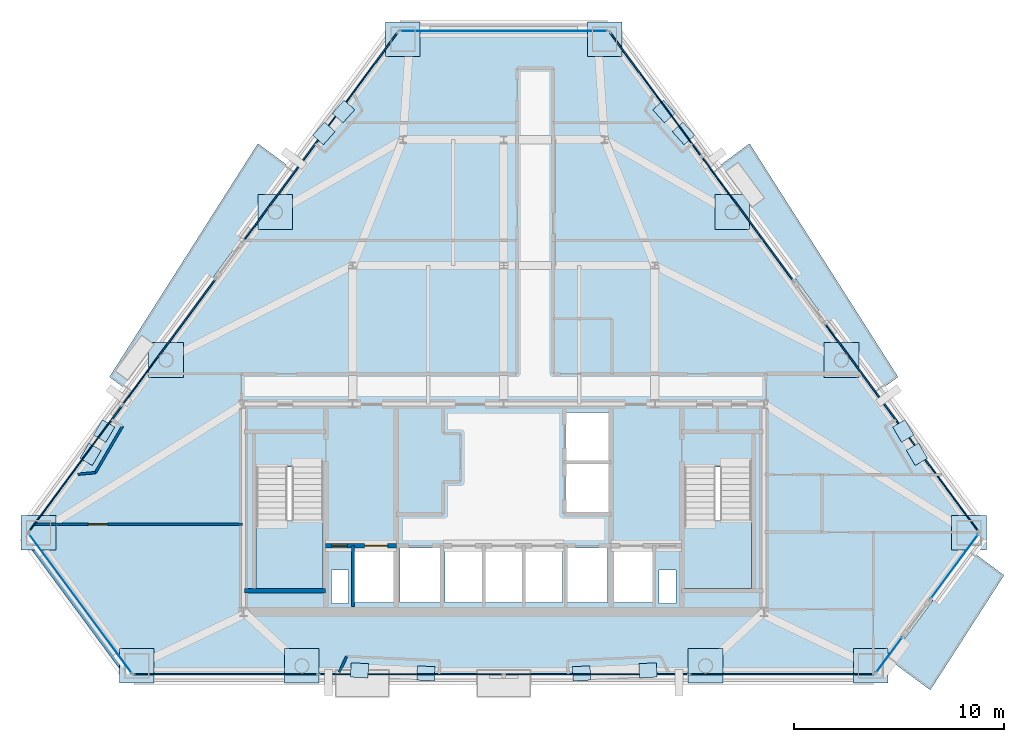
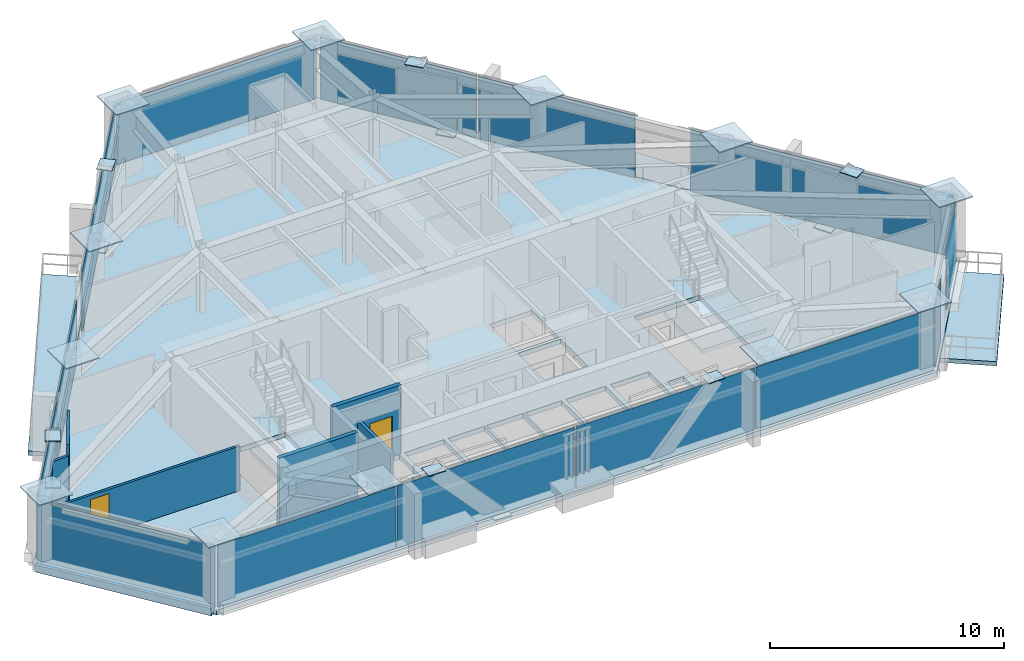
# One storey, part 6 of 11: 38 plates, 8 walls, 6 slabs, 3 doors, 3 openings, 11 elements without a shape of their own.
"""IFC4 building model written with IfcOpenShell, lengths in metres."""

from ifc_helpers import new_model, si_unit, direction, frame, frame_2d, origin, origin_2d, place, context, subcontext, project, spatial, polyline, rectangle, outline, extrude, source, transform, mapped, material, layer, layer_set, type_object, type_shapes, element, fill, aggregate, save


model = new_model("IFC4")

# Units and contexts
model_context = context("Model", 3, precision=1e-05, world=origin(), true_north=direction((0.0, 1.0)))
body_context = subcontext(model_context, "Body", "Model", "MODEL_VIEW")
ifc_project = project(units=[si_unit("LENGTHUNIT", "METRE"), si_unit("AREAUNIT", "SQUARE_METRE"), si_unit("VOLUMEUNIT", "CUBIC_METRE"), si_unit("PLANEANGLEUNIT", "RADIAN"), si_unit("MASSUNIT", "GRAM", prefix="KILO")], contexts=[model_context])

# Site, building, storey
site_placement = place(None, origin())
site = spatial("IfcSite", under=ifc_project, at=site_placement, CompositionType="ELEMENT")
building_placement = place(site_placement, origin())
building = spatial("IfcBuilding", under=site, at=building_placement, Name="Talgorran Terracotta Tower", CompositionType="ELEMENT")
storey_placement = place(building_placement, frame((0.0, 0.0, 154.5)))
storey = spatial("IfcBuildingStorey", under=building, at=storey_placement, Name="L40", CompositionType="ELEMENT", Elevation=154.5)

# Plates
ifc_material_1 = material(Name="Steel Grade 350 (350L0)", Category="steel")
ifc_layer_1 = layer(ifc_material_1, 0.035888671875, Name="PL_CAP_MN06")
ifc_layer_set_1 = layer_set([ifc_layer_1], Name="Steel Grade 350 (350L0)")
plate_type_1 = type_object("IfcPlateType", Name="PL_CAP_MN06", PredefinedType="USERDEFINED", material=ifc_layer_set_1)
for number, where, z_axis, x_axis, name in (
    (1, (-3.709716796875, -17.034423828125, -0.0078125), (0.0, 0.0, 1.0), (-0.99895467426, 0.04571169187, 0.0), "L40 Diagonal Frame End Cap SWF Bot"),
    (2, (-6.870361328125, -16.889892578125, 3.322265625), (0.0, 0.0, 1.0), (-0.99895467426, 0.04571169187, 0.0), "L40 Diagonal Frame End Cap SWF Top"),
    (3, (3.709716796875, -17.034423828125, -0.0078125), (0.0, 0.0, 1.0), (0.99895467426, 0.04571169187, 0.0), "L40 Diagonal Frame End Cap SEF Bot"),
    (4, (6.870361328125, -16.889892578125, 3.322265625), (0.0, 0.0, 1.0), (0.99895467426, 0.04571169187, 0.0), "L40 Diagonal Frame End Cap SEF Top"),
    (5, (19.037353515625, -5.48583984375, -0.0078125), (0.0, 0.0, 1.0), (0.504678307081, -0.863307480775, 0.0), "L40 Diagonal Frame End Cap NEL Bot"),
    (6, (19.686279296875, -6.595947265625, 3.322265625), (0.0, 0.0, 1.0), (0.504678307081, -0.863307480775, 0.0), "L40 Diagonal Frame End Cap NEL Top"),
    (7, (8.56640625, 8.6923828125, -0.0078125), (0.0, 0.0, 1.0), (-0.666272209433, 0.745708617985, 0.0), "L40 Diagonal Frame End Cap NEU Bot"),
    (8, (7.6337890625, 9.736083984375, 3.322265625), (0.0, 0.0, 1.0), (-0.666272209433, 0.745708617985, 0.0), "L40 Diagonal Frame End Cap NEU Top"),
    (9, (-8.56640625, 8.6923828125, -0.0078125), (0.0, 0.0, 1.0), (0.666272209433, 0.745708617985, 0.0), "L40 Diagonal Frame End Cap NWU Bot"),
    (10, (-7.6337890625, 9.736083984375, 3.322265625), (0.0, 0.0, 1.0), (0.666272209433, 0.745708617985, 0.0), "L40 Diagonal Frame End Cap NWU Top"),
    (11, (-19.037353515625, -5.48583984375, -0.0078125), (0.0, 0.0, 1.0), (-0.504678307081, -0.863307480775, 0.0), "L40 Diagonal Frame End Cap NWL Bot"),
    (12, (-19.686279296875, -6.595947265625, 3.322265625), (0.0, 0.0, 1.0), (-0.504678307081, -0.863307480775, 0.0), "L40 Diagonal Frame End Cap NWL Top"),
):
    element("IfcPlate", number, at=place(storey_placement, frame(where, z_axis=z_axis, x_axis=x_axis)), inside=storey, type_object=plate_type_1, Name=name, ObjectType="CAP PLATE", PredefinedType="USERDEFINED", context=body_context, shape_type="SweptSolid", body=[
        extrude(rectangle(XDim=0.840087890625, YDim=0.679931640625, at=origin_2d()), origin(), (0.0, 0.0, 1.0), 0.035888671875),
    ])
ifc_layer_2 = layer(ifc_material_1, 0.06005859375, Name="PL_NODE_MN01")
ifc_layer_set_2 = layer_set([ifc_layer_2], Name="Steel Grade 350 (350L0)")
plate_type_2 = type_object("IfcPlateType", Name="PL_NODE_MN01", PredefinedType="USERDEFINED", material=ifc_layer_set_2)
for number, where, z_axis, x_axis, name in (
    (13, (-22.168212890625, -10.331298828125, 3.5849609375), (0.0, 0.0, 1.0), (1.0, 0.0, 0.0), "L40 Mega-Column Cap Plate MC1"),
    (14, (-17.483642578125, -16.67431640625, 3.5849609375), (0.0, 0.0, 1.0), (1.0, 0.0, 0.0), "L40 Mega-Column Cap Plate MC2"),
    (15, (17.483642578125, -16.67431640625, 3.5849609375), (0.0, 0.0, 1.0), (1.0, 0.0, 0.0), "L40 Mega-Column Cap Plate MC3"),
    (16, (22.168212890625, -10.331298828125, 3.5849609375), (0.0, 0.0, 1.0), (1.0, 0.0, 0.0), "L40 Mega-Column Cap Plate MC4"),
    (17, (4.80615234375, 13.177978515625, 3.5849609375), (0.0, 0.0, 1.0), (1.0, 0.0, 0.0), "L40 Mega-Column Cap Plate MC5"),
    (18, (-4.80615234375, 13.177978515625, 3.5849609375), (0.0, 0.0, 1.0), (1.0, 0.0, 0.0), "L40 Mega-Column Cap Plate MC6"),
    (19, (-9.615966796875, -16.67431640625, 3.5849609375), (0.0, 0.0, 1.0), (1.0, 0.0, 0.0), "L40 Facet Column Cap Plate FC1"),
    (20, (9.615966796875, -16.67431640625, 3.5849609375), (0.0, 0.0, 1.0), (1.0, 0.0, 0.0), "L40 Facet Column Cap Plate FC2"),
    (21, (16.091552734375, -2.10302734375, 3.5849609375), (0.0, 0.0, 1.0), (1.0, 0.0, 0.0), "L40 Facet Column Cap Plate FC3"),
    (22, (10.8828125, 4.94970703125, 3.5849609375), (0.0, 0.0, 1.0), (1.0, 0.0, 0.0), "L40 Facet Column Cap Plate FC4"),
    (23, (-10.8828125, 4.94970703125, 3.5849609375), (0.0, 0.0, 1.0), (1.0, 0.0, 0.0), "L40 Facet Column Cap Plate FC5"),
    (24, (-16.091552734375, -2.10302734375, 3.5849609375), (0.0, 0.0, 1.0), (1.0, 0.0, 0.0), "L40 Facet Column Cap Plate FC6"),
):
    element("IfcPlate", number, at=place(storey_placement, frame(where, z_axis=z_axis, x_axis=x_axis)), inside=storey, type_object=plate_type_2, Name=name, ObjectType="NODE PLATE", PredefinedType="USERDEFINED", context=body_context, shape_type="SweptSolid", body=[
        extrude(rectangle(XDim=1.64990234375, YDim=1.64990234375, at=origin_2d()), origin(), (0.0, 0.0, 1.0), 0.06005859375),
    ])

# Slabs
ifc_material_2 = material(Name="Concrete C40/50", Category="concrete")
ifc_layer_3 = layer(ifc_material_2, 0.219970703125, Name="SL_BALCONY_220")
ifc_layer_set_3 = layer_set([ifc_layer_3], Name="Concrete C40/50")
slab_type_1 = type_object("IfcSlabType", Name="SL_BALCONY_220", PredefinedType="FLOOR", material=ifc_layer_set_3)
slab_1_placement = place(storey_placement, frame((0.0, 0.0, -0.219970703125)))
element("IfcSlab", 25, at=slab_1_placement, inside=storey, type_object=slab_type_1, Name="L40 Outdoor Wave Balcony BAL-NE", PredefinedType="FLOOR", context=body_context, shape_type="SweptSolid", body=[
    extrude(outline(polyline([(10.049560546875, 6.978515625), (17.85791015625, -3.59423828125), (18.784912109375, -2.90966796875), (11.712890625, 8.20703125), (10.049560546875, 6.978515625)])), origin(), (0.0, 0.0, 1.0), 0.219970703125),
])
slab_2_placement = place(storey_placement, frame((0.0, 0.0, -0.219970703125)))
element("IfcSlab", 26, at=slab_2_placement, inside=storey, type_object=slab_type_1, Name="L40 Outdoor Wave Balcony BAL-NW", PredefinedType="FLOOR", context=body_context, shape_type="SweptSolid", body=[
    extrude(outline(polyline([(-17.85791015625, -3.59423828125), (-10.049560546875, 6.978515625), (-11.712890625, 8.20703125), (-18.784912109375, -2.90966796875), (-17.85791015625, -3.59423828125)])), origin(), (0.0, 0.0, 1.0), 0.219970703125),
])
slab_3_placement = place(storey_placement, frame((0.0, 0.0, -0.219970703125)))
element("IfcSlab", 27, at=slab_3_placement, inside=storey, type_object=slab_type_1, Name="L40 Outdoor Wave Balcony BAL-SE", PredefinedType="FLOOR", context=body_context, shape_type="SweptSolid", body=[
    extrude(outline(polyline([(22.218505859375, -11.163818359375), (18.3662109375, -16.379638671875), (20.32470703125, -17.825927734375), (23.8369140625, -12.35888671875), (22.218505859375, -11.163818359375)])), origin(), (0.0, 0.0, 1.0), 0.219970703125),
])

# Stair, slab
stair_type = type_object("IfcStairType", Name="ST_FIRE_SCISSOR", PredefinedType="HALF_TURN_STAIR", material=ifc_material_2)
stair_1_placement = place(storey_placement, origin())
stair_1 = element("IfcStair", 28, at=stair_1_placement, inside=storey, type_object=stair_type, Name="L40 West Protected Fire Stair ST-01", PredefinedType="HALF_TURN_STAIR")
ifc_layer_4 = layer(ifc_material_2, 0.199951171875, Name="SL_LANDING_200")
ifc_layer_set_4 = layer_set([ifc_layer_4], Name="Concrete C40/50")
slab_type_2 = type_object("IfcSlabType", Name="SL_LANDING_200", PredefinedType="LANDING", material=ifc_layer_set_4)
slab_4_placement = place(storey_placement, frame((0.0, 0.0, 1.60009765625)))
slab_4 = element("IfcSlab", 29, at=slab_4_placement, type_object=slab_type_2, Name="ST-01 landing 1", PredefinedType="LANDING", context=body_context, shape_type="SweptSolid", body=[
    extrude(outline(polyline([(-11.800048828125, -9.719970703125), (-11.800048828125, -13.0), (-8.60009765625, -13.0), (-8.60009765625, -9.719970703125), (-11.800048828125, -9.719970703125)])), origin(), (0.0, 0.0, 1.0), 0.199951171875),
])
aggregate(stair_1, [slab_4])

stair_2_placement = place(storey_placement, origin())
stair_2 = element("IfcStair", 30, at=stair_2_placement, inside=storey, type_object=stair_type, Name="L40 East Protected Fire Stair ST-02", PredefinedType="HALF_TURN_STAIR")
slab_5_placement = place(storey_placement, frame((0.0, 0.0, 1.60009765625)))
slab_5 = element("IfcSlab", 31, at=slab_5_placement, type_object=slab_type_2, Name="ST-02 landing 1", PredefinedType="LANDING", context=body_context, shape_type="SweptSolid", body=[
    extrude(outline(polyline([(8.60009765625, -9.719970703125), (8.60009765625, -13.0), (11.800048828125, -13.0), (11.800048828125, -9.719970703125), (8.60009765625, -9.719970703125)])), origin(), (0.0, 0.0, 1.0), 0.199951171875),
])
aggregate(stair_2, [slab_5])

# Slab
ifc_layer_5 = layer(ifc_material_2, 0.25, Name="SL_TOWER_250")
ifc_layer_set_5 = layer_set([ifc_layer_5], Name="Concrete C40/50")
slab_type_3 = type_object("IfcSlabType", Name="SL_TOWER_250", PredefinedType="FLOOR", material=ifc_layer_set_5)
slab_6_placement = place(storey_placement, frame((0.0, 0.0, -0.25)))
element("IfcSlab", 32, at=slab_6_placement, inside=storey, type_object=slab_type_3, Name="Storey L40 Structural Floor Slab", PredefinedType="FLOOR", context=body_context, shape_type="SweptSolid", body=[
    extrude(outline(polyline([(-22.814697265625, -10.331298828125), (-17.74609375, -17.1943359375), (17.74609375, -17.1943359375), (22.814697265625, -10.331298828125), (5.068603515625, 13.697998046875), (-5.068603515625, 13.697998046875), (-22.814697265625, -10.331298828125)]), holes=[polyline([(-11.800048828125, -7.199951171875), (-11.800048828125, -13.0), (-8.60009765625, -13.0), (-8.60009765625, -7.199951171875), (-11.800048828125, -7.199951171875)]), polyline([(8.60009765625, -7.199951171875), (8.60009765625, -13.0), (11.800048828125, -13.0), (11.800048828125, -7.199951171875), (8.60009765625, -7.199951171875)]), polyline([(-7.10009765625, -13.64990234375), (-5.199951171875, -13.64990234375), (-5.199951171875, -11.050048828125), (-7.10009765625, -11.050048828125), (-7.10009765625, -13.64990234375)]), polyline([(5.199951171875, -13.64990234375), (7.10009765625, -13.64990234375), (7.10009765625, -11.050048828125), (5.199951171875, -11.050048828125), (5.199951171875, -13.64990234375)]), polyline([(3.0, -13.64990234375), (4.949951171875, -13.64990234375), (4.949951171875, -11.050048828125), (3.0, -11.050048828125), (3.0, -13.64990234375)]), polyline([(-4.949951171875, -13.64990234375), (-3.0, -13.64990234375), (-3.0, -11.050048828125), (-4.949951171875, -11.050048828125), (-4.949951171875, -13.64990234375)]), polyline([(2.949951171875, -9.35009765625), (5.050048828125, -9.35009765625), (5.050048828125, -7.050048828125), (2.949951171875, -7.050048828125), (2.949951171875, -9.35009765625)]), polyline([(2.949951171875, -6.89990234375), (5.050048828125, -6.89990234375), (5.050048828125, -4.60009765625), (2.949951171875, -4.60009765625), (2.949951171875, -6.89990234375)]), polyline([(-2.800048828125, -13.64990234375), (-1.0, -13.64990234375), (-1.0, -11.050048828125), (-2.800048828125, -11.050048828125), (-2.800048828125, -13.64990234375)]), polyline([(-0.89990234375, -13.64990234375), (0.89990234375, -13.64990234375), (0.89990234375, -11.050048828125), (-0.89990234375, -11.050048828125), (-0.89990234375, -13.64990234375)]), polyline([(1.0, -13.64990234375), (2.800048828125, -13.64990234375), (2.800048828125, -11.050048828125), (1.0, -11.050048828125), (1.0, -13.64990234375)]), polyline([(-8.199951171875, -13.699951171875), (-7.39990234375, -13.699951171875), (-7.39990234375, -12.10009765625), (-8.199951171875, -12.10009765625), (-8.199951171875, -13.699951171875)]), polyline([(7.39990234375, -13.699951171875), (8.199951171875, -13.699951171875), (8.199951171875, -12.10009765625), (7.39990234375, -12.10009765625), (7.39990234375, -13.699951171875)])]), origin(), (0.0, 0.0, 1.0), 0.25),
])

# Curtain wall, plate
ifc_material_3 = material(Name="Unitised Low-E Double Glazing", Category="glass")
ifc_layer_6 = layer(ifc_material_3, 0.199951171875, Name="CW_SYS2_RES_LOW")
ifc_layer_set_6 = layer_set([ifc_layer_6], Name="Unitised Low-E Double Glazing")
curtain_wall_type = type_object("IfcCurtainWallType", Name="CW_SYS2_RES_LOW", PredefinedType="NOTDEFINED", material=ifc_layer_set_6)
curtain_wall_1_placement = place(storey_placement, origin())
curtain_wall_1 = element("IfcCurtainWall", 33, at=curtain_wall_1_placement, inside=storey, type_object=curtain_wall_type, Name="CW-L40-F0", PredefinedType="NOTDEFINED")
ifc_material_4 = material(Name="Low-E Laminated Vision Glass", Category="glass")
ifc_layer_7 = layer(ifc_material_4, 0.028076171875, Name="PLT_VISION_28")
ifc_layer_set_7 = layer_set([ifc_layer_7], Name="Low-E Laminated Vision Glass")
plate_type_3 = type_object("IfcPlateType", Name="PLT_VISION_28", PredefinedType="CURTAIN_PANEL", material=ifc_layer_set_7)
shared_shape_1 = source(origin(), body_context, "Body", "SweptSolid", [
    extrude(rectangle(XDim=8.2529296875, YDim=0.028076171875, at=origin_2d()), origin(), (0.0, 0.0, 1.0), 3.219970703125),
])
plate_1_placement = place(storey_placement, frame((-20.175537109375, -13.702880859375, 0.06494140625), z_axis=(0.0, 0.0, 1.0), x_axis=(0.594082099689, -0.804404412487, 0.0)))
plate_1 = element("IfcPlate", 34, at=plate_1_placement, type_object=plate_type_3, Name="CW-L40-0 panel 1.1", PredefinedType="CURTAIN_PANEL", context=body_context, shape_type="MappedRepresentation", body=[
    mapped(shared_shape_1, transform((0.0, 0.0, 0.0), scale=1.0)),
])
aggregate(curtain_wall_1, [plate_1])

curtain_wall_2_placement = place(storey_placement, origin())
curtain_wall_2 = element("IfcCurtainWall", 35, at=curtain_wall_2_placement, inside=storey, type_object=curtain_wall_type, Name="CW-L40-F4", PredefinedType="NOTDEFINED")
shared_shape_2 = source(origin(), body_context, "Body", "SweptSolid", [
    extrude(rectangle(XDim=9.885986328125, YDim=0.028076171875, at=origin_2d()), origin(), (0.0, 0.0, 1.0), 3.219970703125),
])
plate_2_placement = place(storey_placement, frame((0.0, 13.577880859375, 0.06494140625), z_axis=(0.0, 0.0, 1.0), x_axis=(-1.0, 0.0, 0.0)))
plate_2 = element("IfcPlate", 36, at=plate_2_placement, type_object=plate_type_3, Name="CW-L40-4 panel 1.1", PredefinedType="CURTAIN_PANEL", context=body_context, shape_type="MappedRepresentation", body=[
    mapped(shared_shape_2, transform((0.0, 0.0, 0.0), scale=1.0)),
])
aggregate(curtain_wall_2, [plate_2])

curtain_wall_3_placement = place(storey_placement, origin())
curtain_wall_3 = element("IfcCurtainWall", 37, at=curtain_wall_3_placement, inside=storey, type_object=curtain_wall_type, Name="CW-L40-F30", PredefinedType="NOTDEFINED")
shared_shape_3 = source(origin(), body_context, "Body", "SweptSolid", [
    extrude(rectangle(XDim=2.080078125, YDim=0.028076171875, at=origin_2d()), origin(), (0.0, 0.0, 1.0), 3.219970703125),
])
plate_3_placement = place(storey_placement, frame((18.36572265625, -16.1533203125, 0.06494140625), z_axis=(0.0, 0.0, 1.0), x_axis=(0.594069153237, 0.804413973755, 0.0)))
plate_3 = element("IfcPlate", 38, at=plate_3_placement, type_object=plate_type_3, Name="CW-L40-30 panel 1.1", PredefinedType="CURTAIN_PANEL", context=body_context, shape_type="MappedRepresentation", body=[
    mapped(shared_shape_3, transform((0.0, 0.0, 0.0), scale=1.0)),
])
aggregate(curtain_wall_3, [plate_3])

curtain_wall_4_placement = place(storey_placement, origin())
curtain_wall_4 = element("IfcCurtainWall", 39, at=curtain_wall_4_placement, inside=storey, type_object=curtain_wall_type, Name="CW-L40-F31", PredefinedType="NOTDEFINED")
shared_shape_4 = source(origin(), body_context, "Body", "SweptSolid", [
    extrude(rectangle(XDim=3.802490234375, YDim=0.028076171875, at=origin_2d()), origin(), (0.0, 0.0, 1.0), 3.219970703125),
])
type_shapes(plate_type_3, [shared_shape_1, shared_shape_2, shared_shape_3, shared_shape_4])
plate_4_placement = place(storey_placement, frame((21.4736328125, -11.945068359375, 0.06494140625), z_axis=(0.0, 0.0, 1.0), x_axis=(0.594084291352, 0.804402793859, 0.0)))
plate_4 = element("IfcPlate", 40, at=plate_4_placement, type_object=plate_type_3, Name="CW-L40-31 panel 1.1", PredefinedType="CURTAIN_PANEL", context=body_context, shape_type="MappedRepresentation", body=[
    mapped(shared_shape_4, transform((0.0, 0.0, 0.0), scale=1.0)),
])
aggregate(curtain_wall_4, [plate_4])

# Curtain wall, plates
curtain_wall_5_placement = place(storey_placement, origin())
curtain_wall_5 = element("IfcCurtainWall", 41, at=curtain_wall_5_placement, inside=storey, type_object=curtain_wall_type, Name="CW-L40-F1", PredefinedType="NOTDEFINED")
ifc_material_5 = material(Name="Terracotta Insulated Spandrel", Category="masonry")
ifc_layer_8 = layer(ifc_material_5, 0.06494140625, Name="PLT_SPANDREL_TERRA")
ifc_layer_set_8 = layer_set([ifc_layer_8], Name="Terracotta Insulated Spandrel")
plate_type_4 = type_object("IfcPlateType", Name="PLT_SPANDREL_TERRA", PredefinedType="SHEET", material=ifc_layer_set_8)
shared_shape_5 = source(origin(), body_context, "Body", "SweptSolid", [
    extrude(rectangle(XDim=8.7451171875, YDim=0.06494140625, at=origin_2d()), origin(), (0.0, 0.0, 1.0), 3.219970703125),
])
plate_5_placement = place(storey_placement, frame((-13.247802734375, -17.074462890625, 0.06494140625), z_axis=(0.0, 0.0, 1.0), x_axis=(1.0, 0.0, 0.0)))
plate_5 = element("IfcPlate", 42, at=plate_5_placement, type_object=plate_type_4, Name="CW-L40-1 panel 1.1", PredefinedType="CURTAIN_PANEL", context=body_context, shape_type="MappedRepresentation", body=[
    mapped(shared_shape_5, transform((0.0, 0.0, 0.0), scale=1.0)),
])
plate_6_placement = place(storey_placement, frame((13.247802734375, -17.074462890625, 0.06494140625), z_axis=(0.0, 0.0, 1.0), x_axis=(1.0, 0.0, 0.0)))
plate_6 = element("IfcPlate", 43, at=plate_6_placement, type_object=plate_type_4, Name="CW-L40-1 panel 4.1", PredefinedType="CURTAIN_PANEL", context=body_context, shape_type="MappedRepresentation", body=[
    mapped(shared_shape_5, transform((0.0, 0.0, 0.0), scale=1.0)),
])
shared_shape_6 = source(origin(), body_context, "Body", "SweptSolid", [
    extrude(rectangle(XDim=8.777587890625, YDim=0.06494140625, at=origin_2d()), origin(), (0.0, 0.0, 1.0), 3.219970703125),
])
plate_7_placement = place(storey_placement, frame((-4.42138671875, -17.074462890625, 0.06494140625), z_axis=(0.0, 0.0, 1.0), x_axis=(1.0, 0.0, 0.0)))
plate_7 = element("IfcPlate", 44, at=plate_7_placement, type_object=plate_type_4, Name="CW-L40-1 panel 2.1", PredefinedType="CURTAIN_PANEL", context=body_context, shape_type="MappedRepresentation", body=[
    mapped(shared_shape_6, transform((0.0, 0.0, 0.0), scale=1.0)),
])
plate_8_placement = place(storey_placement, frame((4.42138671875, -17.074462890625, 0.06494140625), z_axis=(0.0, 0.0, 1.0), x_axis=(1.0, 0.0, 0.0)))
plate_8 = element("IfcPlate", 45, at=plate_8_placement, type_object=plate_type_4, Name="CW-L40-1 panel 3.1", PredefinedType="CURTAIN_PANEL", context=body_context, shape_type="MappedRepresentation", body=[
    mapped(shared_shape_6, transform((0.0, 0.0, 0.0), scale=1.0)),
])
aggregate(curtain_wall_5, [plate_5, plate_7, plate_8, plate_6])

# Curtain wall, plate
curtain_wall_6_placement = place(storey_placement, origin())
curtain_wall_6 = element("IfcCurtainWall", 46, at=curtain_wall_6_placement, inside=storey, type_object=curtain_wall_type, Name="CW-L40-F40", PredefinedType="NOTDEFINED")
shared_shape_7 = source(origin(), body_context, "Body", "SweptSolid", [
    extrude(rectangle(XDim=12.260498046875, YDim=0.06494140625, at=origin_2d()), origin(), (0.0, 0.0, 1.0), 3.219970703125),
])
plate_9_placement = place(storey_placement, frame((18.961181640625, -5.3154296875, 0.06494140625), z_axis=(0.0, 0.0, 1.0), x_axis=(-0.59407717556, 0.804408049113, 0.0)))
plate_9 = element("IfcPlate", 47, at=plate_9_placement, type_object=plate_type_4, Name="CW-L40-40 panel 1.1", PredefinedType="CURTAIN_PANEL", context=body_context, shape_type="MappedRepresentation", body=[
    mapped(shared_shape_7, transform((0.0, 0.0, 0.0), scale=1.0)),
])
aggregate(curtain_wall_6, [plate_9])

# Curtain wall, plates
curtain_wall_7_placement = place(storey_placement, origin())
curtain_wall_7 = element("IfcCurtainWall", 48, at=curtain_wall_7_placement, inside=storey, type_object=curtain_wall_type, Name="CW-L40-F41", PredefinedType="NOTDEFINED")
shared_shape_8 = source(origin(), body_context, "Body", "SweptSolid", [
    extrude(rectangle(XDim=7.298583984375, YDim=0.06494140625, at=origin_2d()), origin(), (0.0, 0.0, 1.0), 3.219970703125),
])
plate_10_placement = place(storey_placement, frame((11.61279296875, 4.634521484375, 0.06494140625), z_axis=(0.0, 0.0, 1.0), x_axis=(-0.594074525476, 0.804410006266, 0.0)))
plate_10 = element("IfcPlate", 49, at=plate_10_placement, type_object=plate_type_4, Name="CW-L40-41 panel 1.1", PredefinedType="CURTAIN_PANEL", context=body_context, shape_type="MappedRepresentation", body=[
    mapped(shared_shape_8, transform((0.0, 0.0, 0.0), scale=1.0)),
])
plate_11_placement = place(storey_placement, frame((7.23828125, 10.557861328125, 0.06494140625), z_axis=(0.0, 0.0, 1.0), x_axis=(-0.594074525476, 0.804410006266, 0.0)))
plate_11 = element("IfcPlate", 50, at=plate_11_placement, type_object=plate_type_4, Name="CW-L40-41 panel 2.1", PredefinedType="CURTAIN_PANEL", context=body_context, shape_type="MappedRepresentation", body=[
    mapped(shared_shape_8, transform((0.0, 0.0, 0.0), scale=1.0)),
])
aggregate(curtain_wall_7, [plate_10, plate_11])

# Curtain wall, plate
curtain_wall_8_placement = place(storey_placement, origin())
curtain_wall_8 = element("IfcCurtainWall", 51, at=curtain_wall_8_placement, inside=storey, type_object=curtain_wall_type, Name="CW-L40-F60", PredefinedType="NOTDEFINED")
shared_shape_9 = source(origin(), body_context, "Body", "SweptSolid", [
    extrude(rectangle(XDim=12.312255859375, YDim=0.06494140625, at=origin_2d()), origin(), (0.0, 0.0, 1.0), 3.219970703125),
])
plate_12_placement = place(storey_placement, frame((-8.7275390625, 8.541259765625, 0.06494140625), z_axis=(0.0, 0.0, 1.0), x_axis=(-0.59407215271, -0.8044117586, 0.0)))
plate_12 = element("IfcPlate", 52, at=plate_12_placement, type_object=plate_type_4, Name="CW-L40-60 panel 1.1", PredefinedType="CURTAIN_PANEL", context=body_context, shape_type="MappedRepresentation", body=[
    mapped(shared_shape_9, transform((0.0, 0.0, 0.0), scale=1.0)),
])
aggregate(curtain_wall_8, [plate_12])

# Curtain wall, plates
curtain_wall_9_placement = place(storey_placement, origin())
curtain_wall_9 = element("IfcCurtainWall", 53, at=curtain_wall_9_placement, inside=storey, type_object=curtain_wall_type, Name="CW-L40-F61", PredefinedType="NOTDEFINED")
shared_shape_10 = source(origin(), body_context, "Body", "SweptSolid", [
    extrude(rectangle(XDim=7.422607421875, YDim=0.06494140625, at=origin_2d()), origin(), (0.0, 0.0, 1.0), 3.219970703125),
])
type_shapes(plate_type_4, [shared_shape_5, shared_shape_6, shared_shape_7, shared_shape_8, shared_shape_9, shared_shape_10])
plate_13_placement = place(storey_placement, frame((-15.9501953125, -1.23828125, 0.06494140625), z_axis=(0.0, 0.0, 1.0), x_axis=(-0.594074138221, -0.804410292262, 0.0)))
plate_13 = element("IfcPlate", 54, at=plate_13_placement, type_object=plate_type_4, Name="CW-L40-61 panel 1.1", PredefinedType="CURTAIN_PANEL", context=body_context, shape_type="MappedRepresentation", body=[
    mapped(shared_shape_10, transform((0.0, 0.0, 0.0), scale=1.0)),
])
plate_14_placement = place(storey_placement, frame((-20.398193359375, -7.26123046875, 0.06494140625), z_axis=(0.0, 0.0, 1.0), x_axis=(-0.594074138221, -0.804410292262, 0.0)))
plate_14 = element("IfcPlate", 55, at=plate_14_placement, type_object=plate_type_4, Name="CW-L40-61 panel 2.1", PredefinedType="CURTAIN_PANEL", context=body_context, shape_type="MappedRepresentation", body=[
    mapped(shared_shape_10, transform((0.0, 0.0, 0.0), scale=1.0)),
])
aggregate(curtain_wall_9, [plate_13, plate_14])

# Wall
ifc_material_6 = material(Name="Concrete C50/60", Category="concrete")
ifc_layer_9 = layer(ifc_material_6, 0.199951171875, Name="WT_CORE_200")
ifc_layer_set_9 = layer_set([ifc_layer_9], Name="Concrete C50/60")
wall_type_1 = type_object("IfcWallType", Name="WT_CORE_200", PredefinedType="SOLIDWALL", material=ifc_layer_set_9)
wall_1_placement = place(storey_placement, frame((-12.35009765625, -13.10009765625, 0.0), z_axis=(0.0, 0.0, 1.0), x_axis=(1.0, 0.0, 0.0)))
element("IfcWall", 56, at=wall_1_placement, inside=storey, type_object=wall_type_1, Name="WL-L40-CW-ST1-S", PredefinedType="SOLIDWALL", context=body_context, shape_type="SweptSolid", body=[
    extrude(rectangle(XDim=3.8701171875, YDim=0.199951171875, at=frame_2d((1.93505859375, 0.0))), origin(), (0.0, 0.0, 1.0), 3.60009765625),
])

# Wall, openings, doors
wall_2_placement = place(storey_placement, frame((-8.47998046875, -10.949951171875, 0.0), z_axis=(0.0, 0.0, 1.0), x_axis=(1.0, 0.0, 0.0)))
wall_2 = element("IfcWall", 57, at=wall_2_placement, inside=storey, type_object=wall_type_1, Name="WL-L40-CW-H-SBW", PredefinedType="SOLIDWALL", context=body_context, shape_type="SweptSolid", body=[
    extrude(rectangle(XDim=3.35986328125, YDim=0.199951171875, at=frame_2d((1.679931640625, 0.0))), origin(), (0.0, 0.0, 1.0), 3.60009765625),
])
opening_1_placement = place(wall_2_placement, frame((0.280029296875, 0.0, 0.0)))
opening_1 = element("IfcOpeningElement", 58, at=opening_1_placement, cuts=wall_2, Name="Opening DR-RSW", PredefinedType="OPENING", context=body_context, shape_type="SweptSolid", body=[
    extrude(rectangle(XDim=0.756, YDim=2.054048828125, at=frame_2d((0.375, 1.027099609375))), frame((0.0, 0.10986328125, 0.0), z_axis=(0.0, -1.0, 0.0), x_axis=(1.0, 0.0, 0.0)), (0.0, 0.0, 1.0), 0.219970703125),
])
opening_2_placement = place(wall_2_placement, frame((1.85009765625, 0.0, 0.0)))
opening_2 = element("IfcOpeningElement", 59, at=opening_2_placement, cuts=wall_2, Name="Opening LD-FFL1", PredefinedType="OPENING", context=body_context, shape_type="SweptSolid", body=[
    extrude(rectangle(XDim=1.10609765625, YDim=2.10409765625, at=frame_2d((0.550048828125, 1.052001953125))), frame((0.0, 0.10986328125, 0.0), z_axis=(0.0, -1.0, 0.0), x_axis=(1.0, 0.0, 0.0)), (0.0, 0.0, 1.0), 0.219970703125),
])
ifc_material_7 = material(Name="Brushed Stainless Steel Grade 304", Category="steel")
door_type_1 = type_object("IfcDoorType", Name="DT_LIFT_LD1100", OperationType="DOUBLE_DOOR_SLIDING", PredefinedType="DOOR", material=ifc_material_7)
door_1_placement = place(opening_2_placement, origin())
door_1 = element("IfcDoor", 60, at=door_1_placement, inside=storey, type_object=door_type_1, Name="L40 Lift Landing Door LD-FFL1", OperationType="DOUBLE_DOOR_SLIDING", OverallHeight=2.10009765625, OverallWidth=1.10009765625, PredefinedType="DOOR", context=body_context, shape_type="SweptSolid", body=[
    extrude(rectangle(XDim=1.10009765625, YDim=2.10009765625, at=frame_2d((0.550048828125, 1.050048828125))), frame((0.0, 0.02490234375, 0.0), z_axis=(0.0, -1.0, 0.0), x_axis=(1.0, 0.0, 0.0)), (0.0, 0.0, 1.0), 0.050048828125),
])
fill(opening_2, door_1)
ifc_material_8 = material(Name="Fire-Rated Pressed Steel", Category="steel")
door_type_2 = type_object("IfcDoorType", Name="DT_RISER_750", OperationType="NOTDEFINED", PredefinedType="DOOR", material=ifc_material_8)
door_2_placement = place(opening_1_placement, origin())
door_2 = element("IfcDoor", 61, at=door_2_placement, inside=storey, type_object=door_type_2, Name="DR-RSW", OperationType="SINGLE_SWING_LEFT", OverallHeight=2.050048828125, OverallWidth=0.75, PredefinedType="DOOR", context=body_context, shape_type="SweptSolid", body=[
    extrude(rectangle(XDim=0.75, YDim=2.050048828125, at=frame_2d((0.375, 1.02490234375))), frame((0.0, 0.02490234375, 0.0), z_axis=(0.0, -1.0, 0.0), x_axis=(1.0, 0.0, 0.0)), (0.0, 0.0, 1.0), 0.050048828125),
])
fill(opening_1, door_2)

# Wall
ifc_layer_10 = layer(ifc_material_2, 0.219970703125, Name="WT_PARAPET_RC")
ifc_layer_set_10 = layer_set([ifc_layer_10], Name="Concrete C40/50")
wall_type_2 = type_object("IfcWallType", Name="WT_PARAPET_RC", PredefinedType="PARAPET", material=ifc_layer_set_10)
wall_3_placement = place(storey_placement, frame((-22.74658203125, -10.490478515625, -0.199951171875), z_axis=(0.0, 0.0, 1.0), x_axis=(0.594078793351, -0.804406854328, 0.0)))
element("IfcWall", 62, at=wall_3_placement, inside=storey, type_object=wall_type_2, Name="L40 Striped Portal Precast Cornice F0", PredefinedType="PARAPET", context=body_context, shape_type="SweptSolid", body=[
    extrude(rectangle(XDim=8.222900390625, YDim=0.360107421875, at=frame_2d((4.111328125, 0.0))), origin(), (0.0, 0.0, 1.0), 0.3798828125),
])

# Wall, opening, door
ifc_material_9 = material(Name="Insulated Steel Stud Plasterboard", Category="steel")
ifc_layer_11 = layer(ifc_material_9, 0.1201171875, Name="WT_PART_120")
ifc_layer_set_11 = layer_set([ifc_layer_11], Name="Insulated Steel Stud Plasterboard")
wall_type_3 = type_object("IfcWallType", Name="WT_PART_120", PredefinedType="PARTITIONING", material=ifc_layer_set_11)
wall_4_placement = place(storey_placement, frame((-22.36181640625, -9.919921875, 0.0), z_axis=(0.0, 0.0, 1.0), x_axis=(1.0, 0.0, 0.0)))
wall_4 = element("IfcWall", 63, at=wall_4_placement, inside=storey, type_object=wall_type_3, Name="WL-L40-W-L40-R31", PredefinedType="PARTITIONING", context=body_context, shape_type="SweptSolid", body=[
    extrude(rectangle(XDim=9.921875, YDim=0.1201171875, at=frame_2d((4.9609375, 0.0))), origin(), (0.0, 0.0, 1.0), 2.324951171875),
])
opening_3_placement = place(wall_4_placement, frame((2.56884765625, 0.0, 0.0)))
opening_3 = element("IfcOpeningElement", 64, at=opening_3_placement, cuts=wall_4, Name="Opening DR-L40-R11", PredefinedType="OPENING", context=body_context, shape_type="SweptSolid", body=[
    extrude(rectangle(XDim=0.925921875, YDim=2.10409765625, at=frame_2d((0.4599609375, 1.052001953125))), frame((0.0, 0.070068359375, 0.0), z_axis=(0.0, -1.0, 0.0), x_axis=(1.0, 0.0, 0.0)), (0.0, 0.0, 1.0), 0.14013671875),
])
ifc_material_10 = material(Name="Solid-Core Painted Timber", Category="wood")
door_type_3 = type_object("IfcDoorType", Name="DT_INT_920", OperationType="NOTDEFINED", PredefinedType="DOOR", material=ifc_material_10)
door_3_placement = place(opening_3_placement, origin())
door_3 = element("IfcDoor", 65, at=door_3_placement, inside=storey, type_object=door_type_3, Name="DR-L40-R11", OperationType="SINGLE_SWING_LEFT", OverallHeight=2.10009765625, OverallWidth=0.919921875, PredefinedType="DOOR", context=body_context, shape_type="SweptSolid", body=[
    extrude(rectangle(XDim=0.919921875, YDim=2.10009765625, at=frame_2d((0.4599609375, 1.050048828125))), frame((0.0, 0.02490234375, 0.0), z_axis=(0.0, -1.0, 0.0), x_axis=(1.0, 0.0, 0.0)), (0.0, 0.0, 1.0), 0.050048828125),
])
fill(opening_3, door_3)

# Walls
wall_5_placement = place(storey_placement, frame((-18.161865234375, -5.25634765625, 0.0), z_axis=(0.0, 0.0, 1.0), x_axis=(-0.504681313398, -0.863305723314, 0.0)))
element("IfcWall", 66, at=wall_5_placement, inside=storey, type_object=wall_type_3, Name="WL-L40-BW-L40-08", PredefinedType="PARTITIONING", context=body_context, shape_type="SweptSolid", body=[
    extrude(rectangle(XDim=2.56591796875, YDim=0.1201171875, at=frame_2d((1.282958984375, 0.0))), origin(), (0.0, 0.0, 1.0), 3.35009765625),
])
wall_6_placement = place(storey_placement, frame((-19.456787109375, -7.471435546875, 0.0), z_axis=(0.0, 0.0, 1.0), x_axis=(-0.996261159798, -0.086392716583, 0.0)))
element("IfcWall", 67, at=wall_6_placement, inside=storey, type_object=wall_type_3, Name="WL-L40-BW-L40-09", PredefinedType="PARTITIONING", context=body_context, shape_type="SweptSolid", body=[
    extrude(rectangle(XDim=0.844970703125, YDim=0.1201171875, at=frame_2d((0.42236328125, 0.0))), origin(), (0.0, 0.0, 1.0), 2.7919921875),
])
wall_7_placement = place(storey_placement, frame((-7.843505859375, -16.977783203125, 0.0), z_axis=(0.0, 0.0, 1.0), x_axis=(0.432721607122, 0.901527598429, 0.0)))
element("IfcWall", 68, at=wall_7_placement, inside=storey, type_object=wall_type_3, Name="WL-L40-BW-L40-01", PredefinedType="PARTITIONING", context=body_context, shape_type="SweptSolid", body=[
    extrude(rectangle(XDim=0.8388671875, YDim=0.1201171875, at=frame_2d((0.41943359375, 0.0))), origin(), (0.0, 0.0, 1.0), 2.7919921875),
])
ifc_material_11 = material(Name="Fire-Rated Shaftwall")
ifc_layer_12 = layer(ifc_material_11, 0.159912109375, Name="WT_PART_150")
ifc_layer_set_12 = layer_set([ifc_layer_12], Name="Fire-Rated Shaftwall")
wall_type_4 = type_object("IfcWallType", Name="WT_PART_150", PredefinedType="PARTITIONING", material=ifc_layer_set_12)
wall_8_placement = place(storey_placement, frame((-7.179931640625, -13.85009765625, 0.0), z_axis=(0.0, 0.0, 1.0), x_axis=(0.0, 1.0, 0.0)))
element("IfcWall", 69, at=wall_8_placement, inside=storey, type_object=wall_type_4, Name="WL-L40-CW-RSW", PredefinedType="PARTITIONING", context=body_context, shape_type="SweptSolid", body=[
    extrude(rectangle(XDim=2.900146484375, YDim=0.159912109375, at=frame_2d((1.4501953125, 0.0))), origin(), (0.0, 0.0, 1.0), 2.47509765625),
])

save(model, "model.ifc")
